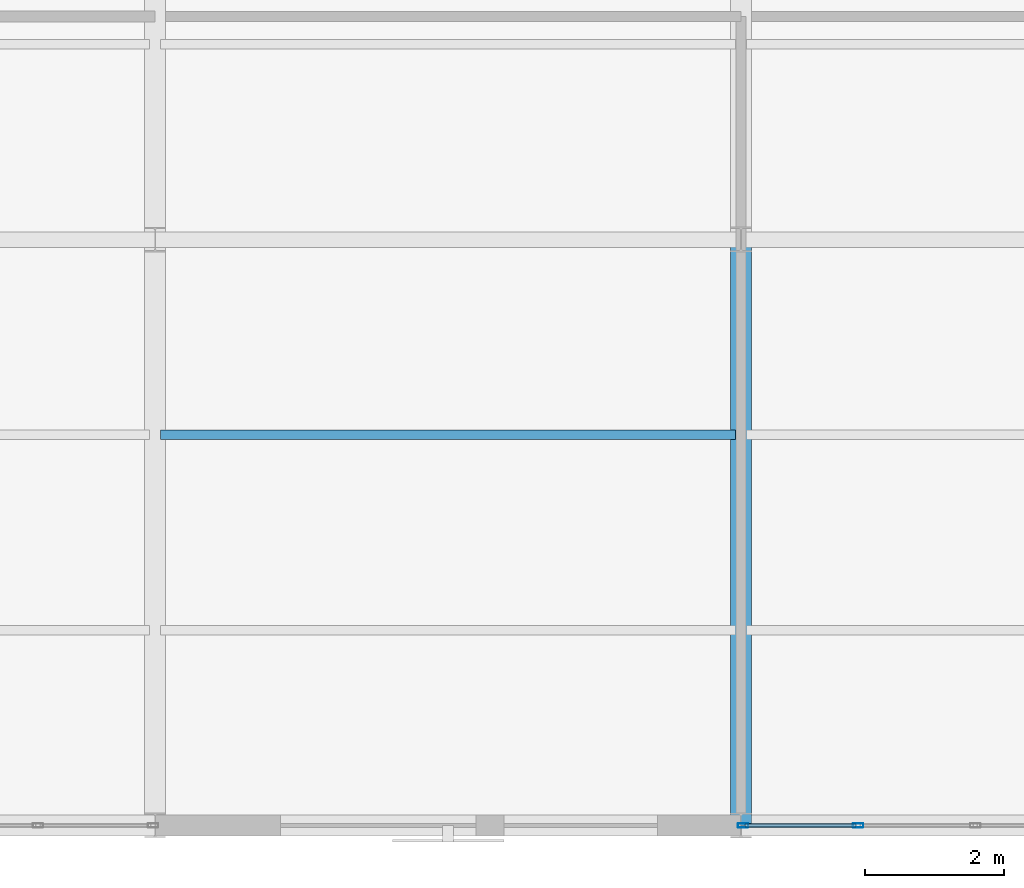
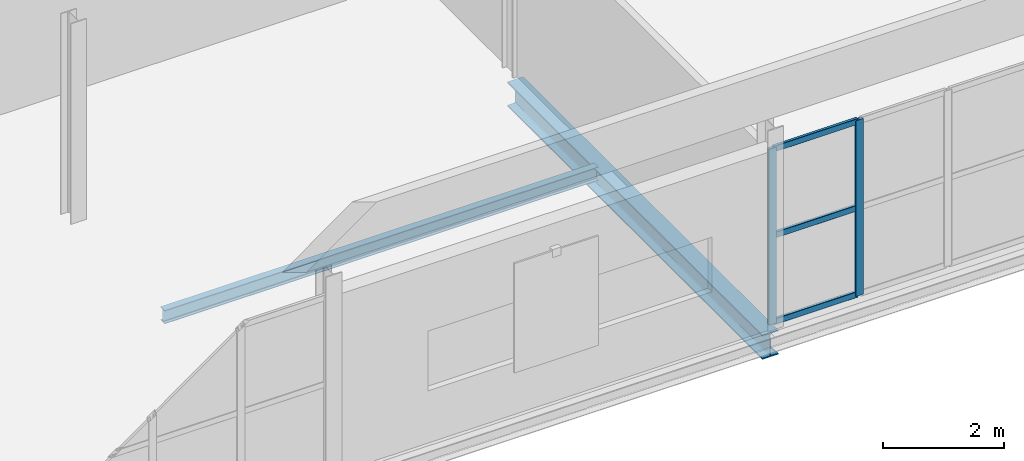
# One storey, part 118 of 184: 5 members, 2 beams, 1 element without a shape of its own.
"""IFC4 building model written with IfcOpenShell, lengths in metres."""

import ifcopenshell
import ifcopenshell.guid

model = None  # the IFC model being written
_history = None  # IfcOwnerHistory: only IFC2X3 demands one
_inside = {}  # id of a spatial element -> (the spatial element, [elements in it])
_under = {}  # id of a project, library or spatial element -> (it, [spatial elements below it])
_declared = {}  # id of a project -> (the project, [libraries it declares])
_typed = {}  # id of a type object -> (the type object, [elements of that type])
_made_of = {}  # id of a material, layer set ... -> (it, [elements and type objects made of it])


def new_model(schema):
    """Start an empty IFC model of exactly this schema.

    Asked for "IFC4X3", IfcOpenShell would pick the latest addendum, in which some entities
    have other attributes; the version numbers below select the first issue.
    IFC2X3 requires an IfcOwnerHistory on every rooted entity: one is made here for all.
    """
    global model, _history
    if schema == "IFC4X3":
        model = ifcopenshell.file(schema_version=(4, 3, 0, 0))
    else:
        model = ifcopenshell.file(schema=schema)
    _inside.clear()
    _under.clear()
    _declared.clear()
    _typed.clear()
    _made_of.clear()
    _history = None
    if model.schema == "IFC2X3":
        org = make("IfcOrganization", Name="unknown")
        user = make(
            "IfcPersonAndOrganization",
            ThePerson=make("IfcPerson", FamilyName="unknown"),
            TheOrganization=org,
        )
        app = make(
            "IfcApplication",
            ApplicationDeveloper=org,
            Version="unknown",
            ApplicationFullName="unknown",
            ApplicationIdentifier="unknown",
        )
        _history = make(
            "IfcOwnerHistory",
            OwningUser=user,
            OwningApplication=app,
            ChangeAction="ADDED",
            CreationDate=0,
        )
    return model


def make(cls, **values):
    """One entity of the class cls with the attributes given. An attribute that is None is left unset."""
    return model.create_entity(
        cls, **{name: value for name, value in values.items() if value is not None}
    )


def rooted(cls, **values):
    """An entity with a GlobalId (a new one), such as an element, a storey or a relation."""
    return make(cls, GlobalId=ifcopenshell.guid.new(), OwnerHistory=_history, **values)


def si_unit(unit_type, name, prefix=None):
    """IfcSIUnit, for example si_unit("LENGTHUNIT", "METRE", prefix="MILLI")."""
    return make("IfcSIUnit", UnitType=unit_type, Prefix=prefix, Name=name)


def assignment(units):
    """IfcUnitAssignment: the units of a project."""
    return None if units is None else make("IfcUnitAssignment", Units=units)


def point(xyz):
    """IfcCartesianPoint."""
    return None if xyz is None else make("IfcCartesianPoint", Coordinates=xyz)


def direction(xyz):
    """IfcDirection."""
    return None if xyz is None else make("IfcDirection", DirectionRatios=xyz)


def frame(location, z_axis=None, x_axis=None):
    """IfcAxis2Placement3D, a coordinate frame: its origin and axes. An axis left out is left unset."""
    return make(
        "IfcAxis2Placement3D",
        Location=point(location),
        Axis=direction(z_axis),
        RefDirection=direction(x_axis),
    )


def frame_2d(location, x_axis=None):
    """IfcAxis2Placement2D, a coordinate frame in the plane: its origin and x axis."""
    return make(
        "IfcAxis2Placement2D", Location=point(location), RefDirection=direction(x_axis)
    )


def origin():
    """The frame at (0, 0, 0) with its axes left unset."""
    return frame((0.0, 0.0, 0.0))


def origin_2d():
    """The frame at (0, 0) in the plane with its x axis left unset."""
    return frame_2d((0.0, 0.0))


def place(relative_to, where):
    """IfcLocalPlacement: puts the frame where relative to a parent placement (None: the world)."""
    return make(
        "IfcLocalPlacement", PlacementRelTo=relative_to, RelativePlacement=where
    )


def context(
    kind, dimensions, precision=None, world=None, true_north=None, identifier=None
):
    """IfcGeometricRepresentationContext, for example the 3D "Model" context."""
    return make(
        "IfcGeometricRepresentationContext",
        ContextIdentifier=identifier,
        ContextType=kind,
        CoordinateSpaceDimension=dimensions,
        Precision=precision,
        WorldCoordinateSystem=world,
        TrueNorth=true_north,
    )


def subcontext(parent, identifier, kind, view, scale=None):
    """IfcGeometricRepresentationSubContext, for example "Body" below "Model"."""
    return make(
        "IfcGeometricRepresentationSubContext",
        ContextIdentifier=identifier,
        ContextType=kind,
        ParentContext=parent,
        TargetScale=scale,
        TargetView=view,
    )


def project(units=None, contexts=None):
    """IfcProject with its units and contexts."""
    return rooted(
        "IfcProject",
        Name="project",
        RepresentationContexts=contexts,
        UnitsInContext=assignment(units),
    )


def spatial(cls, under=None, at=None, **own):
    """A site, building, storey or space (cls), placed at a placement, below another one or the project."""
    s = rooted(cls, ObjectPlacement=at, **own)
    if under is not None:
        _under.setdefault(under.id(), (under, []))[1].append(s)
    return s


def profile(cls, at=None, kind="AREA", **sizes):
    """A parametric profile (cls). Its sizes go by their IFC names, for example OverallWidth=200.0."""
    return make(cls, ProfileType=kind, Position=at, **sizes)


def hollow_rectangle(**sizes):
    """IfcRectangleHollowProfileDef."""
    return profile("IfcRectangleHollowProfileDef", **sizes)


def i_section(**sizes):
    """IfcIShapeProfileDef."""
    return profile("IfcIShapeProfileDef", **sizes)


def extrude(swept, where, along, depth):
    """IfcExtrudedAreaSolid: the profile swept, set in the frame where, extruded along a direction by depth."""
    return make(
        "IfcExtrudedAreaSolid",
        SweptArea=swept,
        Position=where,
        ExtrudedDirection=direction(along),
        Depth=depth,
    )


def shape(context_of_items, identifier, shape_type, items):
    """IfcShapeRepresentation: the items that make up one representation, for example the "Body"."""
    return make(
        "IfcShapeRepresentation",
        ContextOfItems=context_of_items,
        RepresentationIdentifier=identifier,
        RepresentationType=shape_type,
        Items=items,
    )


def material(Name=None, Category=None):
    """IfcMaterial."""
    return make("IfcMaterial", Name=Name, Category=Category)


def layer(
    of_material, thickness, ventilated=None, Name=None, Category=None, Priority=None
):
    """IfcMaterialLayer: one layer of a wall or slab, of a material (None: an air gap)."""
    return make(
        "IfcMaterialLayer",
        Material=of_material,
        LayerThickness=thickness,
        IsVentilated=ventilated,
        Name=Name,
        Category=Category,
        Priority=Priority,
    )


def layer_set(layers, Name=None):
    """IfcMaterialLayerSet."""
    return make("IfcMaterialLayerSet", MaterialLayers=layers, LayerSetName=Name)


def material_profile(
    of_material, cross_section, Name=None, Category=None, Priority=None
):
    """IfcMaterialProfile: a cross section and its material."""
    return make(
        "IfcMaterialProfile",
        Name=Name,
        Material=of_material,
        Profile=cross_section,
        Priority=Priority,
        Category=Category,
    )


def profile_set(profiles, Name=None, composite=None):
    """IfcMaterialProfileSet."""
    return make(
        "IfcMaterialProfileSet",
        Name=Name,
        MaterialProfiles=profiles,
        CompositeProfile=composite,
    )


def made_of(thing, what):
    """Note that an element or type object is made of a material, layer set ...; save() writes the relation."""
    if what is not None:
        _made_of.setdefault(what.id(), (what, []))[1].append(thing)
    return thing


def type_object(cls, material=None, **own):
    """A type object (cls), such as IfcWallType, which elements share."""
    return made_of(rooted(cls, **own), material)


def element(
    cls,
    number,
    at=None,
    inside=None,
    cuts=None,
    type_object=None,
    material=None,
    context=None,
    identifier="Body",
    shape_type=None,
    held_by="IfcProductDefinitionShape",
    body=None,
    shapes=None,
    **own,
):
    """One element of the class cls, such as IfcWall. Its Tag is "e" and its number.

    at: its placement. inside: the storey or other place that contains it. cuts: it is an
    opening in that element (IfcRelVoidsElement). A single representation is given by context,
    identifier, shape_type and body (its items); several are given by shapes. held_by: the class
    of the entity that holds the representations. save() writes the other relations.
    """
    e = rooted(cls, Tag="e%d" % number, ObjectPlacement=at, **own)
    if body is not None:
        shapes = [shape(context, identifier, shape_type, body)]
    if shapes is not None:
        e.Representation = make(held_by, Representations=shapes)
    if inside is not None:
        _inside.setdefault(inside.id(), (inside, []))[1].append(e)
    if cuts is not None:
        rooted(
            "IfcRelVoidsElement", RelatingBuildingElement=cuts, RelatedOpeningElement=e
        )
    if type_object is not None:
        _typed.setdefault(type_object.id(), (type_object, []))[1].append(e)
    return made_of(e, material)


def aggregate(whole, parts):
    """IfcRelAggregates: a whole, such as a stair, and the parts it consists of."""
    return rooted("IfcRelAggregates", RelatingObject=whole, RelatedObjects=parts)


def save(model, path):
    """Write the relations noted so far, then the file.

    IfcRelAggregates (storeys below a building ...), IfcRelContainedInSpatialStructure (elements
    in a storey), IfcRelDefinesByType, IfcRelAssociatesMaterial and IfcRelDeclares: one each for
    every whole, place, type object, material and project.
    """
    for whole, parts in _under.values():
        aggregate(whole, parts)
    for where, things in _inside.values():
        rooted(
            "IfcRelContainedInSpatialStructure",
            RelatedElements=things,
            RelatingStructure=where,
        )
    for kind, things in _typed.values():
        rooted("IfcRelDefinesByType", RelatedObjects=things, RelatingType=kind)
    for what, things in _made_of.values():
        rooted("IfcRelAssociatesMaterial", RelatedObjects=things, RelatingMaterial=what)
    for by, libraries in _declared.values():
        rooted("IfcRelDeclares", RelatingContext=by, RelatedDefinitions=libraries)
    model.write(path)


model = new_model("IFC4")

# Units and contexts
model_context = context("Model", 3, precision=1e-05, world=origin(), true_north=direction((0.0, 1.0)))
body_context = subcontext(model_context, "Body", "Model", "MODEL_VIEW")
ifc_project = project(units=[si_unit("LENGTHUNIT", "METRE"), si_unit("AREAUNIT", "SQUARE_METRE"), si_unit("VOLUMEUNIT", "CUBIC_METRE"), si_unit("PLANEANGLEUNIT", "RADIAN"), si_unit("MASSUNIT", "GRAM", prefix="KILO")], contexts=[model_context])

# Site, building, storey
site_placement = place(None, origin())
site = spatial("IfcSite", under=ifc_project, at=site_placement, CompositionType="ELEMENT")
building_placement = place(site_placement, origin())
building = spatial("IfcBuilding", under=site, at=building_placement, Name="Qalvenar Corner Mobility Hub", CompositionType="ELEMENT")
storey_placement = place(building_placement, frame((0.0, 0.0, 9.0)))
storey = spatial("IfcBuildingStorey", under=building, at=storey_placement, Name="L02", CompositionType="ELEMENT", Elevation=9.0)

# Beams
ifc_material_1 = material(Name="Steel S355", Category="steel")
ifc_material_profile_1 = material_profile(ifc_material_1, i_section(OverallWidth=0.300048828125, OverallDepth=0.489990234375, WebThickness=0.011962890625, FlangeThickness=0.02294921875, FilletRadius=0.027099609375, at=origin_2d()), Name="HEA500")
ifc_profile_set_1 = profile_set([ifc_material_profile_1], Name="Steel S355")
beam_type_1 = type_object("IfcBeamType", Name="BM-HEA500", PredefinedType="BEAM", material=ifc_profile_set_1)
beam_1_placement = place(storey_placement, frame((134.39990234375, 0.0, -0.425048828125), z_axis=(0.0, 1.0, 0.0), x_axis=(-1.0, 0.0, 0.0)))
element("IfcBeam", 1, at=beam_1_placement, inside=storey, type_object=beam_type_1, Name="Primary Steel Girder GY-1726", PredefinedType="BEAM", context=body_context, shape_type="SweptSolid", body=[
    extrude(i_section(OverallWidth=0.300048828125, OverallDepth=0.489990234375, WebThickness=0.011962890625, FlangeThickness=0.02294921875, FilletRadius=0.027099609375, at=origin_2d()), origin(), (0.0, 0.0, 1.0), 8.39990234375),
])
ifc_material_profile_2 = material_profile(ifc_material_1, i_section(OverallWidth=0.135009765625, OverallDepth=0.27001953125, WebThickness=0.006591796875, FlangeThickness=0.01025390625, FilletRadius=0.014892578125, at=origin_2d()), Name="IPE270")
ifc_profile_set_2 = profile_set([ifc_material_profile_2], Name="Steel S355")
beam_type_2 = type_object("IfcBeamType", Name="BM-JST270", PredefinedType="JOIST", material=ifc_profile_set_2)
beam_2_placement = place(storey_placement, frame((126.077880859375, 5.60009765625, -0.31494140625), z_axis=(1.0, 0.0, 0.0), x_axis=(0.0, 1.0, 0.0)))
element("IfcBeam", 2, at=beam_2_placement, inside=storey, type_object=beam_type_2, Name="Composite Floor Joist J-1772", PredefinedType="JOIST", context=body_context, shape_type="SweptSolid", body=[
    extrude(i_section(OverallWidth=0.135009765625, OverallDepth=0.27001953125, WebThickness=0.006591796875, FlangeThickness=0.01025390625, FilletRadius=0.014892578125, at=origin_2d()), origin(), (0.0, 0.0, 1.0), 8.244140625),
])

# Curtain wall, members
ifc_material_2 = material(Name="Anodised Aluminium and Low-E Glazing", Category="aluminium")
ifc_layer = layer(ifc_material_2, 0.14990234375)
ifc_layer_set = layer_set([ifc_layer], Name="Anodised Aluminium and Low-E Glazing")
curtain_wall_type = type_object("IfcCurtainWallType", Name="CW-WKS-84X44", PredefinedType="NOTDEFINED", material=ifc_layer_set)
curtain_wall_placement = place(storey_placement, origin())
curtain_wall = element("IfcCurtainWall", 3, at=curtain_wall_placement, inside=storey, type_object=curtain_wall_type, Name="Glazed Curtain Wall CW-V6-L02-S3", PredefinedType="NOTDEFINED")
ifc_material_3 = material(Name="Anodised Aluminium 6063-T6", Category="aluminium")
ifc_material_profile_3 = material_profile(ifc_material_3, hollow_rectangle(XDim=0.06005859375, YDim=0.14990234375, WallThickness=0.00390625, InnerFilletRadius=0.00390625, OuterFilletRadius=0.008056640625, at=origin_2d()), Name="RHS150x60x4")
ifc_profile_set_3 = profile_set([ifc_material_profile_3], Name="Anodised Aluminium 6063-T6")
member_type_1 = type_object("IfcMemberType", Name="CW-MUL150", PredefinedType="MULLION", material=ifc_profile_set_3)
member_1_placement = place(storey_placement, frame((134.429931640625, 0.0, 0.0), z_axis=(0.0, 0.0, 1.0), x_axis=(0.0, 1.0, 0.0)))
member_1 = element("IfcMember", 4, at=member_1_placement, type_object=member_type_1, Name="CW-09 mullion 1", PredefinedType="MULLION", context=body_context, shape_type="SweptSolid", body=[
    extrude(hollow_rectangle(XDim=0.06005859375, YDim=0.14990234375, WallThickness=0.00390625, InnerFilletRadius=0.00390625, OuterFilletRadius=0.008056640625, at=origin_2d()), origin(), (0.0, 0.0, 1.0), 3.530029296875),
])
member_2_placement = place(storey_placement, frame((136.080078125, 0.0, 0.0), z_axis=(0.0, 0.0, 1.0), x_axis=(0.0, 1.0, 0.0)))
member_2 = element("IfcMember", 5, at=member_2_placement, type_object=member_type_1, Name="CW-09 mullion 2", PredefinedType="MULLION", context=body_context, shape_type="SweptSolid", body=[
    extrude(hollow_rectangle(XDim=0.06005859375, YDim=0.14990234375, WallThickness=0.00390625, InnerFilletRadius=0.00390625, OuterFilletRadius=0.008056640625, at=origin_2d()), origin(), (0.0, 0.0, 1.0), 3.530029296875),
])
ifc_material_profile_4 = material_profile(ifc_material_3, hollow_rectangle(XDim=0.054931640625, YDim=0.1201171875, WallThickness=0.00341796875, InnerFilletRadius=0.00341796875, OuterFilletRadius=0.007080078125, at=origin_2d()), Name="RHS120x55x3.5")
ifc_profile_set_4 = profile_set([ifc_material_profile_4], Name="Anodised Aluminium 6063-T6")
member_type_2 = type_object("IfcMemberType", Name="CW-TRN120", PredefinedType="USERDEFINED", material=ifc_profile_set_4)
member_3_placement = place(storey_placement, frame((134.4599609375, 0.0, 0.027587890625), z_axis=(1.0, 0.0, 0.0), x_axis=(0.0, 1.0, 0.0)))
member_3 = element("IfcMember", 6, at=member_3_placement, type_object=member_type_2, Name="CW-09 transom 1.1", ObjectType="TRANSOM", PredefinedType="USERDEFINED", context=body_context, shape_type="SweptSolid", body=[
    extrude(hollow_rectangle(XDim=0.054931640625, YDim=0.1201171875, WallThickness=0.00341796875, InnerFilletRadius=0.00341796875, OuterFilletRadius=0.007080078125, at=origin_2d()), origin(), (0.0, 0.0, 1.0), 1.590087890625),
])
member_4_placement = place(storey_placement, frame((134.4599609375, 0.0, 1.764892578125), z_axis=(1.0, 0.0, 0.0), x_axis=(0.0, 1.0, 0.0)))
member_4 = element("IfcMember", 7, at=member_4_placement, type_object=member_type_2, Name="CW-09 transom 1.2", ObjectType="TRANSOM", PredefinedType="USERDEFINED", context=body_context, shape_type="SweptSolid", body=[
    extrude(hollow_rectangle(XDim=0.054931640625, YDim=0.1201171875, WallThickness=0.00341796875, InnerFilletRadius=0.00341796875, OuterFilletRadius=0.007080078125, at=origin_2d()), origin(), (0.0, 0.0, 1.0), 1.590087890625),
])
member_5_placement = place(storey_placement, frame((134.4599609375, 0.0, 3.50244140625), z_axis=(1.0, 0.0, 0.0), x_axis=(0.0, 1.0, 0.0)))
member_5 = element("IfcMember", 8, at=member_5_placement, type_object=member_type_2, Name="CW-09 transom 1.3", ObjectType="TRANSOM", PredefinedType="USERDEFINED", context=body_context, shape_type="SweptSolid", body=[
    extrude(hollow_rectangle(XDim=0.054931640625, YDim=0.1201171875, WallThickness=0.00341796875, InnerFilletRadius=0.00341796875, OuterFilletRadius=0.007080078125, at=origin_2d()), origin(), (0.0, 0.0, 1.0), 1.590087890625),
])
aggregate(curtain_wall, [member_1, member_2, member_3, member_4, member_5])

save(model, "model.ifc")
